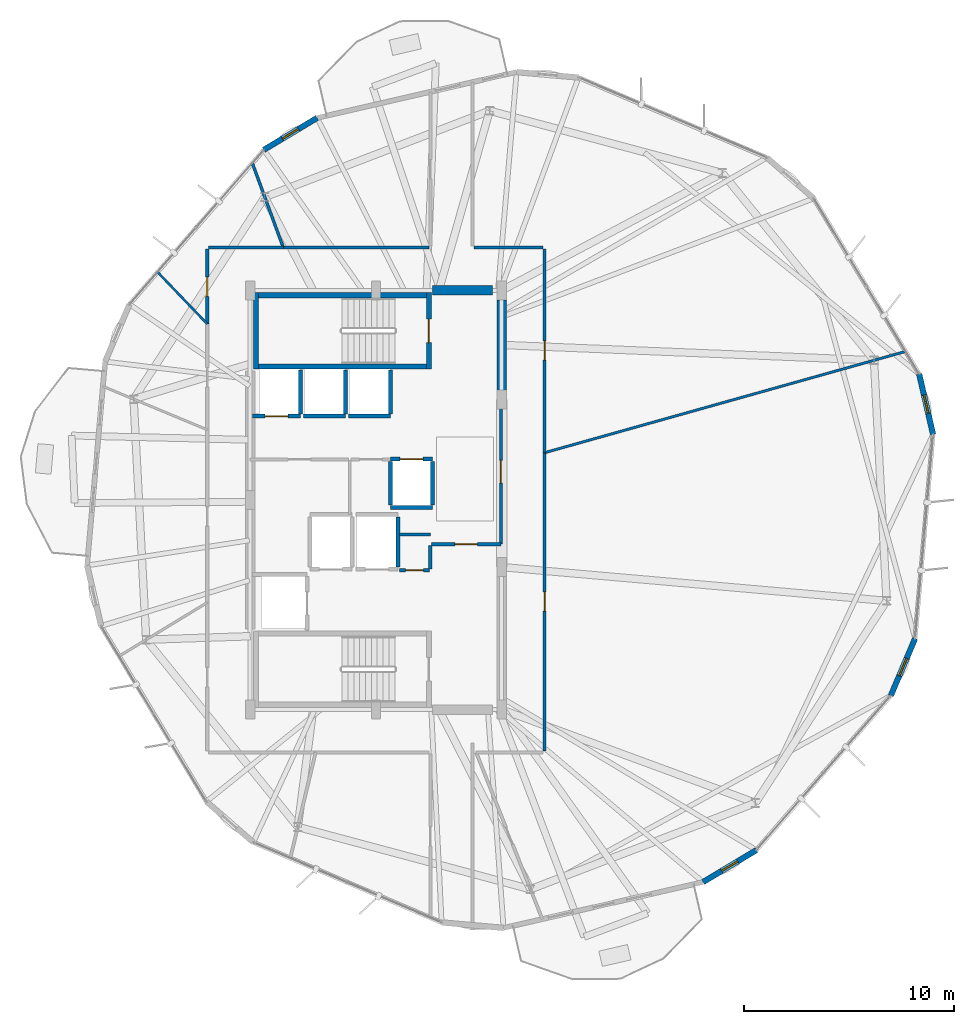
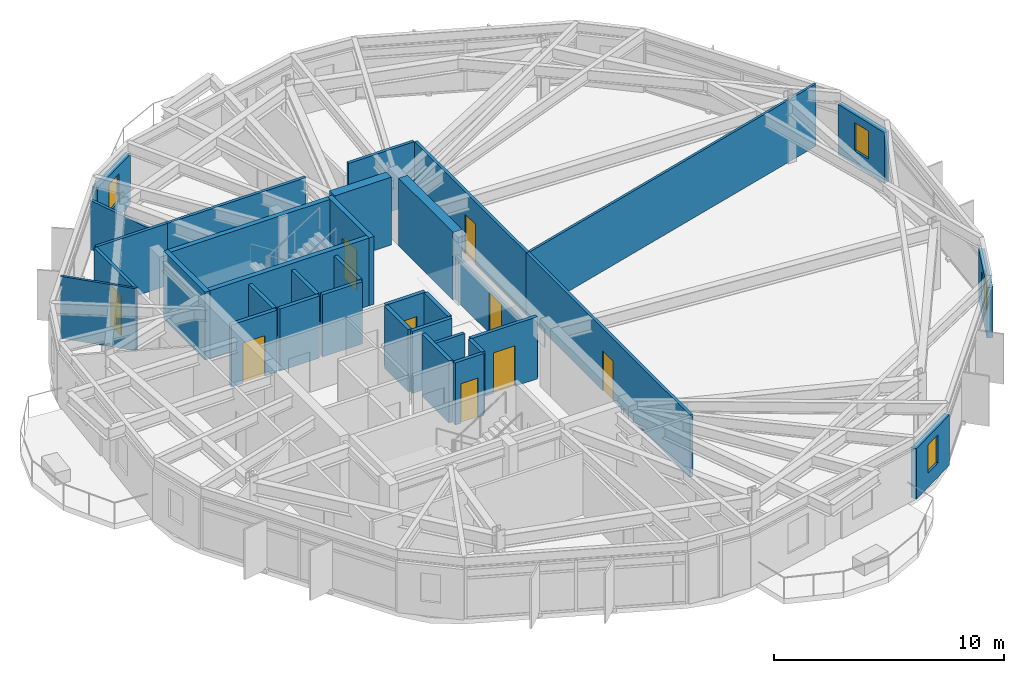
# One storey, part 23 of 27: 35 walls, 9 doors, 4 windows, 13 openings.
"""IFC4 building model written with IfcOpenShell, lengths in metres."""

from ifc_helpers import new_model, si_unit, direction, frame, frame_2d, origin, place, context, subcontext, project, spatial, rectangle, extrude, material, layer, layer_set, type_object, element, fill, save


model = new_model("IFC4")

# Units and contexts
model_context = context("Model", 3, precision=1e-05, world=origin(), true_north=direction((0.0, 1.0)))
body_context = subcontext(model_context, "Body", "Model", "MODEL_VIEW")
ifc_project = project(units=[si_unit("LENGTHUNIT", "METRE"), si_unit("AREAUNIT", "SQUARE_METRE"), si_unit("VOLUMEUNIT", "CUBIC_METRE"), si_unit("PLANEANGLEUNIT", "RADIAN"), si_unit("MASSUNIT", "GRAM", prefix="KILO")], contexts=[model_context])

# Site, building, storey
site_placement = place(None, origin())
site = spatial("IfcSite", under=ifc_project, at=site_placement, CompositionType="ELEMENT")
building_placement = place(site_placement, origin())
building = spatial("IfcBuilding", under=site, at=building_placement, Name="Soratama Intermodal Tower", CompositionType="ELEMENT")
storey_placement = place(building_placement, frame((0.0, 0.0, 212.199951171875)))
storey = spatial("IfcBuildingStorey", under=building, at=storey_placement, Name="L53", CompositionType="ELEMENT", Elevation=212.199951171875)

# Wall, opening, window
ifc_material_1 = material(Name="Concrete f'c 42 MPa", Category="concrete")
ifc_layer_1 = layer(ifc_material_1, 0.27001953125)
ifc_layer_set_1 = layer_set([ifc_layer_1], Name="Concrete f'c 42 MPa")
wall_type_1 = type_object("IfcWallType", Name="EW-CRN-270", PredefinedType="SOLIDWALL", material=ifc_layer_set_1)
wall_1_placement = place(storey_placement, frame((35.7919921875, 43.232177734375, 0.0), z_axis=(0.0, 0.0, 1.0), x_axis=(-0.857507449303, -0.51447154867, 0.0)))
wall_1 = element("IfcWall", 1, at=wall_1_placement, inside=storey, type_object=wall_type_1, Name="L53 Corner Closure Wall 02", PredefinedType="SOLIDWALL", context=body_context, shape_type="SweptSolid", body=[
    extrude(rectangle(XDim=2.96630859375, YDim=0.27001953125, at=frame_2d((1.483154296875, 0.0))), origin(), (0.0, 0.0, 1.0), 2.678955078125),
])
opening_1_placement = place(wall_1_placement, frame((1.033203125, 0.0, 0.75)))
opening_1 = element("IfcOpeningElement", 2, at=opening_1_placement, cuts=wall_1, Name="Opening WN-6", PredefinedType="OPENING", context=body_context, shape_type="SweptSolid", body=[
    extrude(rectangle(XDim=0.89990234375, YDim=1.5, at=frame_2d((0.449951171875, 0.75))), frame((0.0, 0.14501953125, 0.0), z_axis=(0.0, -1.0, 0.0), x_axis=(1.0, 0.0, 0.0)), (0.0, 0.0, 1.0), 0.2900390625),
])
ifc_material_2 = material(Name="Double-glazed aluminium window", Category="aluminium")
window_type = type_object("IfcWindowType", Name="WN-FAC-900", PartitioningType="SINGLE_PANEL", PredefinedType="WINDOW", material=ifc_material_2)
window_1_placement = place(opening_1_placement, origin())
window_1 = element("IfcWindow", 3, at=window_1_placement, inside=storey, type_object=window_type, Name="L53 Corner Window 02", OverallHeight=1.5, OverallWidth=0.89990234375, PartitioningType="SINGLE_PANEL", PredefinedType="WINDOW", context=body_context, shape_type="SweptSolid", body=[
    extrude(rectangle(XDim=0.89990234375, YDim=1.5, at=frame_2d((0.449951171875, 0.75))), frame((0.0, 0.030029296875, 0.0), z_axis=(0.0, -1.0, 0.0), x_axis=(1.0, 0.0, 0.0)), (0.0, 0.0, 1.0), 0.06005859375),
])
fill(opening_1, window_1)

wall_2_placement = place(storey_placement, frame((54.2080078125, 6.767822265625, 0.0), z_axis=(0.0, 0.0, 1.0), x_axis=(0.857507449303, 0.51447154867, 0.0)))
wall_2 = element("IfcWall", 4, at=wall_2_placement, inside=storey, type_object=wall_type_1, Name="L53 Corner Closure Wall 07", PredefinedType="SOLIDWALL", context=body_context, shape_type="SweptSolid", body=[
    extrude(rectangle(XDim=2.96630859375, YDim=0.27001953125, at=frame_2d((1.483154296875, 0.0))), origin(), (0.0, 0.0, 1.0), 2.678955078125),
])
opening_2_placement = place(wall_2_placement, frame((1.033203125, 0.0, 0.75)))
opening_2 = element("IfcOpeningElement", 5, at=opening_2_placement, cuts=wall_2, Name="Opening WN-6", PredefinedType="OPENING", context=body_context, shape_type="SweptSolid", body=[
    extrude(rectangle(XDim=0.89990234375, YDim=1.5, at=frame_2d((0.449951171875, 0.75))), frame((0.0, 0.14501953125, 0.0), z_axis=(0.0, -1.0, 0.0), x_axis=(1.0, 0.0, 0.0)), (0.0, 0.0, 1.0), 0.2900390625),
])
window_2_placement = place(opening_2_placement, origin())
window_2 = element("IfcWindow", 6, at=window_2_placement, inside=storey, type_object=window_type, Name="L53 Corner Window 07", OverallHeight=1.5, OverallWidth=0.89990234375, PartitioningType="SINGLE_PANEL", PredefinedType="WINDOW", context=body_context, shape_type="SweptSolid", body=[
    extrude(rectangle(XDim=0.89990234375, YDim=1.5, at=frame_2d((0.449951171875, 0.75))), frame((0.0, 0.030029296875, 0.0), z_axis=(0.0, -1.0, 0.0), x_axis=(1.0, 0.0, 0.0)), (0.0, 0.0, 1.0), 0.06005859375),
])
fill(opening_2, window_2)

wall_3_placement = place(storey_placement, frame((63.166015625, 15.662109375, 0.0), z_axis=(0.0, 0.0, 1.0), x_axis=(0.391325355633, 0.920252392574, 0.0)))
wall_3 = element("IfcWall", 7, at=wall_3_placement, inside=storey, type_object=wall_type_1, Name="L53 Corner Closure Wall 08", PredefinedType="SOLIDWALL", context=body_context, shape_type="SweptSolid", body=[
    extrude(rectangle(XDim=2.966552734375, YDim=0.27001953125, at=frame_2d((1.4833984375, 0.0))), origin(), (0.0, 0.0, 1.0), 2.678955078125),
])
opening_3_placement = place(wall_3_placement, frame((1.033203125, 0.0, 0.75)))
opening_3 = element("IfcOpeningElement", 8, at=opening_3_placement, cuts=wall_3, Name="Opening WN-6", PredefinedType="OPENING", context=body_context, shape_type="SweptSolid", body=[
    extrude(rectangle(XDim=0.89990234375, YDim=1.5, at=frame_2d((0.449951171875, 0.75))), frame((0.0, 0.14501953125, 0.0), z_axis=(0.0, -1.0, 0.0), x_axis=(1.0, 0.0, 0.0)), (0.0, 0.0, 1.0), 0.2900390625),
])
window_3_placement = place(opening_3_placement, origin())
window_3 = element("IfcWindow", 9, at=window_3_placement, inside=storey, type_object=window_type, Name="L53 Corner Window 08", OverallHeight=1.5, OverallWidth=0.89990234375, PartitioningType="SINGLE_PANEL", PredefinedType="WINDOW", context=body_context, shape_type="SweptSolid", body=[
    extrude(rectangle(XDim=0.89990234375, YDim=1.5, at=frame_2d((0.449951171875, 0.75))), frame((0.0, 0.030029296875, 0.0), z_axis=(0.0, -1.0, 0.0), x_axis=(1.0, 0.0, 0.0)), (0.0, 0.0, 1.0), 0.06005859375),
])
fill(opening_3, window_3)

wall_4_placement = place(storey_placement, frame((65.185302734375, 28.123291015625, 0.0), z_axis=(0.0, 0.0, 1.0), x_axis=(-0.224270411894, 0.974526953116, 0.0)))
wall_4 = element("IfcWall", 10, at=wall_4_placement, inside=storey, type_object=wall_type_1, Name="L53 Corner Closure Wall 09", PredefinedType="SOLIDWALL", context=body_context, shape_type="SweptSolid", body=[
    extrude(rectangle(XDim=2.966552734375, YDim=0.27001953125, at=frame_2d((1.4833984375, 0.0))), origin(), (0.0, 0.0, 1.0), 2.678955078125),
])
opening_4_placement = place(wall_4_placement, frame((1.033203125, 0.0, 0.75)))
opening_4 = element("IfcOpeningElement", 11, at=opening_4_placement, cuts=wall_4, Name="Opening WN-6", PredefinedType="OPENING", context=body_context, shape_type="SweptSolid", body=[
    extrude(rectangle(XDim=0.89990234375, YDim=1.5, at=frame_2d((0.449951171875, 0.75))), frame((0.0, 0.14501953125, 0.0), z_axis=(0.0, -1.0, 0.0), x_axis=(1.0, 0.0, 0.0)), (0.0, 0.0, 1.0), 0.2900390625),
])
window_4_placement = place(opening_4_placement, origin())
window_4 = element("IfcWindow", 12, at=window_4_placement, inside=storey, type_object=window_type, Name="L53 Corner Window 09", OverallHeight=1.5, OverallWidth=0.89990234375, PartitioningType="SINGLE_PANEL", PredefinedType="WINDOW", context=body_context, shape_type="SweptSolid", body=[
    extrude(rectangle(XDim=0.89990234375, YDim=1.5, at=frame_2d((0.449951171875, 0.75))), frame((0.0, 0.030029296875, 0.0), z_axis=(0.0, -1.0, 0.0), x_axis=(1.0, 0.0, 0.0)), (0.0, 0.0, 1.0), 0.06005859375),
])
fill(opening_4, window_4)

# Wall, opening, door
ifc_material_3 = material(Name="Fire-rated gypsum stud partition", Category="concrete")
ifc_layer_2 = layer(ifc_material_3, 0.14990234375)
ifc_layer_set_2 = layer_set([ifc_layer_2], Name="Fire-rated gypsum stud partition")
wall_type_2 = type_object("IfcWallType", Name="IW-PART-R150", PredefinedType="PARTITIONING", material=ifc_layer_set_2)
wall_5_placement = place(storey_placement, frame((46.64990234375, 27.258056640625, 0.0), z_axis=(0.0, 0.0, 1.0), x_axis=(0.0, -1.0, 0.0)))
wall_5 = element("IfcWall", 13, at=wall_5_placement, inside=storey, type_object=wall_type_2, Name="L53 Partition W-L53-TP002", PredefinedType="PARTITIONING", context=body_context, shape_type="SweptSolid", body=[
    extrude(rectangle(XDim=14.238037109375, YDim=0.14990234375, at=frame_2d((7.119140625, 0.0))), origin(), (0.0, 0.0, 1.0), 3.300048828125),
])
opening_5_placement = place(wall_5_placement, frame((6.64404296875, 0.0, 0.0)))
opening_5 = element("IfcOpeningElement", 14, at=opening_5_placement, cuts=wall_5, Name="Opening ID-6", PredefinedType="OPENING", context=body_context, shape_type="SweptSolid", body=[
    extrude(rectangle(XDim=0.919921875, YDim=2.1201171875, at=frame_2d((0.4599609375, 1.06005859375))), frame((0.0, 0.0849609375, 0.0), z_axis=(0.0, -1.0, 0.0), x_axis=(1.0, 0.0, 0.0)), (0.0, 0.0, 1.0), 0.169921875),
])
ifc_material_4 = material(Name="Solid hardwood acoustic door", Category="wood")
door_type_1 = type_object("IfcDoorType", Name="DR-ROOM-920", OperationType="NOTDEFINED", PredefinedType="DOOR", material=ifc_material_4)
door_1_placement = place(opening_5_placement, origin())
door_1 = element("IfcDoor", 15, at=door_1_placement, inside=storey, type_object=door_type_1, Name="L53 Door D-L53-TP001", OperationType="SINGLE_SWING_RIGHT", OverallHeight=2.1201171875, OverallWidth=0.919921875, PredefinedType="DOOR", context=body_context, shape_type="SweptSolid", body=[
    extrude(rectangle(XDim=0.919921875, YDim=2.1201171875, at=frame_2d((0.4599609375, 1.06005859375))), frame((0.0, 0.02490234375, 0.0), z_axis=(0.0, -1.0, 0.0), x_axis=(1.0, 0.0, 0.0)), (0.0, 0.0, 1.0), 0.050048828125),
])
fill(opening_5, door_1)

wall_6_placement = place(storey_placement, frame((46.64990234375, 36.97998046875, 0.0), z_axis=(0.0, 0.0, 1.0), x_axis=(0.0, -1.0, 0.0)))
wall_6 = element("IfcWall", 16, at=wall_6_placement, inside=storey, type_object=wall_type_2, Name="L53 Partition W-L53-TP003", PredefinedType="PARTITIONING", context=body_context, shape_type="SweptSolid", body=[
    extrude(rectangle(XDim=9.721923828125, YDim=0.14990234375, at=frame_2d((4.86083984375, 0.0))), origin(), (0.0, 0.0, 1.0), 3.300048828125),
])
opening_6_placement = place(wall_6_placement, frame((4.385986328125, 0.0, 0.0)))
opening_6 = element("IfcOpeningElement", 17, at=opening_6_placement, cuts=wall_6, Name="Opening ID-6", PredefinedType="OPENING", context=body_context, shape_type="SweptSolid", body=[
    extrude(rectangle(XDim=0.919921875, YDim=2.1201171875, at=frame_2d((0.4599609375, 1.06005859375))), frame((0.0, 0.0849609375, 0.0), z_axis=(0.0, -1.0, 0.0), x_axis=(1.0, 0.0, 0.0)), (0.0, 0.0, 1.0), 0.169921875),
])
door_2_placement = place(opening_6_placement, origin())
door_2 = element("IfcDoor", 18, at=door_2_placement, inside=storey, type_object=door_type_1, Name="L53 Door D-L53-TP002", OperationType="SINGLE_SWING_LEFT", OverallHeight=2.1201171875, OverallWidth=0.919921875, PredefinedType="DOOR", context=body_context, shape_type="SweptSolid", body=[
    extrude(rectangle(XDim=0.919921875, YDim=2.1201171875, at=frame_2d((0.4599609375, 1.06005859375))), frame((0.0, 0.02490234375, 0.0), z_axis=(0.0, -1.0, 0.0), x_axis=(1.0, 0.0, 0.0)), (0.0, 0.0, 1.0), 0.050048828125),
])
fill(opening_6, door_2)

# Wall
wall_7_placement = place(storey_placement, frame((34.177001953125, 37.050048828125, 0.0), z_axis=(0.0, 0.0, 1.0), x_axis=(1.0, 0.0, 0.0)))
element("IfcWall", 19, at=wall_7_placement, inside=storey, type_object=wall_type_2, Name="L53 Partition W-L53-TP010", PredefinedType="PARTITIONING", context=body_context, shape_type="SweptSolid", body=[
    extrude(rectangle(XDim=6.952880859375, YDim=0.14990234375, at=frame_2d((3.4765625, 0.0))), origin(), (0.0, 0.0, 1.0), 3.300048828125),
])

# Wall, opening, door
wall_8_placement = place(storey_placement, frame((44.56005859375, 29.800048828125, 0.0), z_axis=(0.0, 0.0, 1.0), x_axis=(0.0, -1.0, 0.0)))
wall_8 = element("IfcWall", 20, at=wall_8_placement, inside=storey, type_object=wall_type_2, Name="L53 Partition W-L53-TP011", PredefinedType="PARTITIONING", context=body_context, shape_type="SweptSolid", body=[
    extrude(rectangle(XDim=6.91015625, YDim=0.14990234375, at=frame_2d((3.455078125, 0.0))), origin(), (0.0, 0.0, 1.0), 2.340087890625),
])
opening_7_placement = place(wall_8_placement, frame((2.9150390625, 0.0, 0.0)))
opening_7 = element("IfcOpeningElement", 21, at=opening_7_placement, cuts=wall_8, Name="Opening ID-1", PredefinedType="OPENING", context=body_context, shape_type="SweptSolid", body=[
    extrude(rectangle(XDim=1.080078125, YDim=2.14990234375, at=frame_2d((0.5400390625, 1.074951171875))), frame((0.0, 0.0849609375, 0.0), z_axis=(0.0, -1.0, 0.0), x_axis=(1.0, 0.0, 0.0)), (0.0, 0.0, 1.0), 0.169921875),
])
ifc_material_5 = material(Name="Solid hardwood acoustic door", Category="wood")
door_type_2 = type_object("IfcDoorType", Name="DR-LOB-FD60", OperationType="NOTDEFINED", PredefinedType="DOOR", material=ifc_material_5)
door_3_placement = place(opening_7_placement, origin())
door_3 = element("IfcDoor", 22, at=door_3_placement, inside=storey, type_object=door_type_2, Name="L53 Door D-L53-TP007", OperationType="SINGLE_SWING_RIGHT", OverallHeight=2.14990234375, OverallWidth=1.080078125, PredefinedType="DOOR", context=body_context, shape_type="SweptSolid", body=[
    extrude(rectangle(XDim=1.080078125, YDim=2.14990234375, at=frame_2d((0.5400390625, 1.074951171875))), frame((0.0, 0.02490234375, 0.0), z_axis=(0.0, -1.0, 0.0), x_axis=(1.0, 0.0, 0.0)), (0.0, 0.0, 1.0), 0.050048828125),
])
fill(opening_7, door_3)

wall_9_placement = place(storey_placement, frame((30.550048828125, 33.40087890625, 0.0), z_axis=(0.0, 0.0, 1.0), x_axis=(0.0, 1.0, 0.0)))
wall_9 = element("IfcWall", 23, at=wall_9_placement, inside=storey, type_object=wall_type_2, Name="L53 Partition W-L53-TP020", PredefinedType="PARTITIONING", context=body_context, shape_type="SweptSolid", body=[
    extrude(rectangle(XDim=3.5791015625, YDim=0.14990234375, at=frame_2d((1.78955078125, 0.0))), origin(), (0.0, 0.0, 1.0), 3.300048828125),
])
opening_8_placement = place(wall_9_placement, frame((1.31396484375, 0.0, 0.0)))
opening_8 = element("IfcOpeningElement", 24, at=opening_8_placement, cuts=wall_9, Name="Opening ID-6", PredefinedType="OPENING", context=body_context, shape_type="SweptSolid", body=[
    extrude(rectangle(XDim=0.919921875, YDim=2.1201171875, at=frame_2d((0.4599609375, 1.06005859375))), frame((0.0, 0.0849609375, 0.0), z_axis=(0.0, -1.0, 0.0), x_axis=(1.0, 0.0, 0.0)), (0.0, 0.0, 1.0), 0.169921875),
])
door_4_placement = place(opening_8_placement, origin())
door_4 = element("IfcDoor", 25, at=door_4_placement, inside=storey, type_object=door_type_1, Name="L53 Door D-L53-TP010", OperationType="SINGLE_SWING_LEFT", OverallHeight=2.1201171875, OverallWidth=0.919921875, PredefinedType="DOOR", context=body_context, shape_type="SweptSolid", body=[
    extrude(rectangle(XDim=0.919921875, YDim=2.1201171875, at=frame_2d((0.4599609375, 1.06005859375))), frame((0.0, 0.02490234375, 0.0), z_axis=(0.0, -1.0, 0.0), x_axis=(1.0, 0.0, 0.0)), (0.0, 0.0, 1.0), 0.050048828125),
])
fill(opening_8, door_4)

# Walls
wall_10_placement = place(storey_placement, frame((30.6201171875, 37.050048828125, 0.0), z_axis=(0.0, 0.0, 1.0), x_axis=(1.0, 0.0, 0.0)))
element("IfcWall", 26, at=wall_10_placement, inside=storey, type_object=wall_type_2, Name="L53 Partition W-L53-TP021", PredefinedType="PARTITIONING", context=body_context, shape_type="SweptSolid", body=[
    extrude(rectangle(XDim=3.556884765625, YDim=0.14990234375, at=frame_2d((1.7783203125, 0.0))), origin(), (0.0, 0.0, 1.0), 3.300048828125),
])
wall_11_placement = place(storey_placement, frame((43.27001953125, 37.050048828125, 0.0), z_axis=(0.0, 0.0, 1.0), x_axis=(1.0, 0.0, 0.0)))
element("IfcWall", 27, at=wall_11_placement, inside=storey, type_object=wall_type_2, Name="L53 Partition W-L53-TP024", PredefinedType="PARTITIONING", context=body_context, shape_type="SweptSolid", body=[
    extrude(rectangle(XDim=3.31005859375, YDim=0.14990234375, at=frame_2d((1.655029296875, 0.0))), origin(), (0.0, 0.0, 1.0), 3.300048828125),
])
wall_12_placement = place(storey_placement, frame((41.199951171875, 23.360107421875, 0.0), z_axis=(0.0, 0.0, 1.0), x_axis=(-1.0, 0.0, 0.0)))
element("IfcWall", 28, at=wall_12_placement, inside=storey, type_object=wall_type_2, Name="L53 Partition W-L53-TP031", PredefinedType="PARTITIONING", context=body_context, shape_type="SweptSolid", body=[
    extrude(rectangle(XDim=1.47998046875, YDim=0.14990234375, at=frame_2d((0.739990234375, 0.0))), origin(), (0.0, 0.0, 1.0), 3.300048828125),
])

# Wall, opening, door
ifc_material_6 = material(Name="Fire-rated gypsum stud partition", Category="concrete")
ifc_layer_3 = layer(ifc_material_6, 0.169921875)
ifc_layer_set_3 = layer_set([ifc_layer_3], Name="Fire-rated gypsum stud partition")
wall_type_3 = type_object("IfcWallType", Name="IW-PART-R170", PredefinedType="PARTITIONING", material=ifc_layer_set_3)
wall_13_placement = place(storey_placement, frame((41.239990234375, 22.889892578125, 0.0), z_axis=(0.0, 0.0, 1.0), x_axis=(1.0, 0.0, 0.0)))
wall_13 = element("IfcWall", 29, at=wall_13_placement, inside=storey, type_object=wall_type_3, Name="L53 Partition W-L53-TP023", PredefinedType="PARTITIONING", context=body_context, shape_type="SweptSolid", body=[
    extrude(rectangle(XDim=3.320068359375, YDim=0.169921875, at=frame_2d((1.66015625, 0.0))), origin(), (0.0, 0.0, 1.0), 3.300048828125),
])
opening_9_placement = place(wall_13_placement, frame((1.1201171875, 0.0, 0.0)))
opening_9 = element("IfcOpeningElement", 30, at=opening_9_placement, cuts=wall_13, Name="Opening ID-0", PredefinedType="OPENING", context=body_context, shape_type="SweptSolid", body=[
    extrude(rectangle(XDim=1.080078125, YDim=2.14990234375, at=frame_2d((0.5400390625, 1.074951171875))), frame((0.0, 0.094970703125, 0.0), z_axis=(0.0, -1.0, 0.0), x_axis=(1.0, 0.0, 0.0)), (0.0, 0.0, 1.0), 0.18994140625),
])
ifc_material_7 = material(Name="Solid hardwood acoustic door", Category="wood")
door_type_3 = type_object("IfcDoorType", Name="DR-LOB-FD90", OperationType="NOTDEFINED", PredefinedType="DOOR", material=ifc_material_7)
door_5_placement = place(opening_9_placement, origin())
door_5 = element("IfcDoor", 31, at=door_5_placement, inside=storey, type_object=door_type_3, Name="L53 Door D-L53-TP011", OperationType="SINGLE_SWING_RIGHT", OverallHeight=2.14990234375, OverallWidth=1.080078125, PredefinedType="DOOR", context=body_context, shape_type="SweptSolid", body=[
    extrude(rectangle(XDim=1.080078125, YDim=2.14990234375, at=frame_2d((0.5400390625, 1.074951171875))), frame((0.0, 0.02490234375, 0.0), z_axis=(0.0, -1.0, 0.0), x_axis=(1.0, 0.0, 0.0)), (0.0, 0.0, 1.0), 0.050048828125),
])
fill(opening_9, door_5)

wall_14_placement = place(storey_placement, frame((39.719970703125, 21.639892578125, 0.0), z_axis=(0.0, 0.0, 1.0), x_axis=(1.0, 0.0, 0.0)))
wall_14 = element("IfcWall", 32, at=wall_14_placement, inside=storey, type_object=wall_type_3, Name="L53 Partition W-L53-TP028", PredefinedType="PARTITIONING", context=body_context, shape_type="SweptSolid", body=[
    extrude(rectangle(XDim=1.43994140625, YDim=0.169921875, at=frame_2d((0.719970703125, 0.0))), origin(), (0.0, 0.0, 1.0), 3.300048828125),
])
opening_10_placement = place(wall_14_placement, frame((0.294921875, 0.0, 0.0)))
opening_10 = element("IfcOpeningElement", 33, at=opening_10_placement, cuts=wall_14, Name="Opening ID-4", PredefinedType="OPENING", context=body_context, shape_type="SweptSolid", body=[
    extrude(rectangle(XDim=0.85009765625, YDim=2.10009765625, at=frame_2d((0.425048828125, 1.050048828125))), frame((0.0, 0.094970703125, 0.0), z_axis=(0.0, -1.0, 0.0), x_axis=(1.0, 0.0, 0.0)), (0.0, 0.0, 1.0), 0.18994140625),
])
ifc_material_8 = material(Name="Solid hardwood acoustic door", Category="wood")
door_type_4 = type_object("IfcDoorType", Name="DR-BATH-850", OperationType="NOTDEFINED", PredefinedType="DOOR", material=ifc_material_8)
door_6_placement = place(opening_10_placement, origin())
door_6 = element("IfcDoor", 34, at=door_6_placement, inside=storey, type_object=door_type_4, Name="L53 Door D-L53-TP013", OperationType="SINGLE_SWING_RIGHT", OverallHeight=2.10009765625, OverallWidth=0.85009765625, PredefinedType="DOOR", context=body_context, shape_type="SweptSolid", body=[
    extrude(rectangle(XDim=0.85009765625, YDim=2.10009765625, at=frame_2d((0.425048828125, 1.050048828125))), frame((0.0, 0.02490234375, 0.0), z_axis=(0.0, -1.0, 0.0), x_axis=(1.0, 0.0, 0.0)), (0.0, 0.0, 1.0), 0.050048828125),
])
fill(opening_10, door_6)

# Walls
wall_15_placement = place(storey_placement, frame((41.199951171875, 21.699951171875, 0.0), z_axis=(0.0, 0.0, 1.0), x_axis=(0.0, 1.0, 0.0)))
element("IfcWall", 35, at=wall_15_placement, inside=storey, type_object=wall_type_3, Name="L53 Partition W-L53-TP029", PredefinedType="PARTITIONING", context=body_context, shape_type="SweptSolid", body=[
    extrude(rectangle(XDim=1.1201171875, YDim=0.169921875, at=frame_2d((0.56005859375, 0.0))), origin(), (0.0, 0.0, 1.0), 3.300048828125),
])
ifc_material_9 = material(Name="Fire-rated gypsum stud partition", Category="concrete")
ifc_layer_4 = layer(ifc_material_9, 0.110107421875)
ifc_layer_set_4 = layer_set([ifc_layer_4], Name="Fire-rated gypsum stud partition")
wall_type_4 = type_object("IfcWallType", Name="IW-PART-S110", PredefinedType="PARTITIONING", material=ifc_layer_set_4)
wall_16_placement = place(storey_placement, frame((30.550048828125, 33.40087890625, 0.0), z_axis=(0.0, 0.0, 1.0), x_axis=(-0.691939349726, 0.721955633194, 0.0)))
element("IfcWall", 36, at=wall_16_placement, inside=storey, type_object=wall_type_4, Name="L53 Partition W-L53-TP022", PredefinedType="PARTITIONING", context=body_context, shape_type="SweptSolid", body=[
    extrude(rectangle(XDim=3.432373046875, YDim=0.110107421875, at=frame_2d((1.71630859375, 0.0))), origin(), (0.0, 0.0, 1.0), 3.300048828125),
])
ifc_material_10 = material(Name="Fire-rated gypsum stud partition", Category="concrete")
ifc_layer_5 = layer(ifc_material_10, 0.1201171875)
ifc_layer_set_5 = layer_set([ifc_layer_5], Name="Fire-rated gypsum stud partition")
wall_type_5 = type_object("IfcWallType", Name="IW-PART-S120", PredefinedType="PARTITIONING", material=ifc_layer_set_5)
wall_17_placement = place(storey_placement, frame((63.875, 32.089111328125, 0.0), z_axis=(0.0, 0.0, 1.0), x_axis=(-0.962847424489, -0.270045990813, 0.0)))
element("IfcWall", 37, at=wall_17_placement, inside=storey, type_object=wall_type_5, Name="L53 Partition W-L53-TP001", PredefinedType="PARTITIONING", context=body_context, shape_type="SweptSolid", body=[
    extrude(rectangle(XDim=17.8896484375, YDim=0.1201171875, at=frame_2d((8.94482421875, 0.0))), origin(), (0.0, 0.0, 1.0), 3.300048828125),
])
ifc_material_11 = material(Name="Fire-rated gypsum stud partition", Category="concrete")
ifc_layer_6 = layer(ifc_material_11, 0.139892578125)
ifc_layer_set_6 = layer_set([ifc_layer_6], Name="Fire-rated gypsum stud partition")
wall_type_6 = type_object("IfcWallType", Name="IW-PART-S140", PredefinedType="PARTITIONING", material=ifc_layer_set_6)
wall_18_placement = place(storey_placement, frame((34.177001953125, 37.050048828125, 0.0), z_axis=(0.0, 0.0, 1.0), x_axis=(-0.344438653937, 0.938808827011, 0.0)))
element("IfcWall", 38, at=wall_18_placement, inside=storey, type_object=wall_type_6, Name="L53 Partition W-L53-TP019", PredefinedType="PARTITIONING", context=body_context, shape_type="SweptSolid", body=[
    extrude(rectangle(XDim=4.288330078125, YDim=0.139892578125, at=frame_2d((2.14404296875, 0.0))), origin(), (0.0, 0.0, 1.0), 2.594970703125),
])
ifc_material_12 = material(Name="Concrete f'c 42 MPa", Category="concrete")
ifc_layer_7 = layer(ifc_material_12, 0.18505859375)
ifc_layer_set_7 = layer_set([ifc_layer_7], Name="Concrete f'c 42 MPa")
wall_type_7 = type_object("IfcWallType", Name="IW-SHAFT-185", PredefinedType="SOLIDWALL", material=ifc_layer_set_7)
wall_19_placement = place(storey_placement, frame((39.64990234375, 21.81005859375, 0.0), z_axis=(0.0, 0.0, 1.0), x_axis=(0.0, 1.0, 0.0)))
element("IfcWall", 39, at=wall_19_placement, inside=storey, type_object=wall_type_7, Name="L53 FFL-2 Hoistway Wall E", PredefinedType="SOLIDWALL", context=body_context, shape_type="SweptSolid", body=[
    extrude(rectangle(XDim=2.3798828125, YDim=0.18505859375, at=frame_2d((1.18994140625, 0.0))), origin(), (0.0, 0.0, 1.0), 3.300048828125),
])
wall_20_placement = place(storey_placement, frame((39.300048828125, 24.64990234375, 0.0), z_axis=(0.0, 0.0, 1.0), x_axis=(1.0, 0.0, 0.0)))
element("IfcWall", 40, at=wall_20_placement, inside=storey, type_object=wall_type_7, Name="L53 PL-M1 Hoistway Wall S", PredefinedType="SOLIDWALL", context=body_context, shape_type="SweptSolid", body=[
    extrude(rectangle(XDim=2.0, YDim=0.18505859375, at=frame_2d((1.0, 0.0))), origin(), (0.0, 0.0, 1.0), 3.300048828125),
])

# Wall, opening, door
wall_21_placement = place(storey_placement, frame((39.300048828125, 26.949951171875, 0.0), z_axis=(0.0, 0.0, 1.0), x_axis=(1.0, 0.0, 0.0)))
wall_21 = element("IfcWall", 41, at=wall_21_placement, inside=storey, type_object=wall_type_7, Name="L53 PL-M1 Hoistway Wall N", PredefinedType="SOLIDWALL", context=body_context, shape_type="SweptSolid", body=[
    extrude(rectangle(XDim=2.0, YDim=0.18505859375, at=frame_2d((1.0, 0.0))), origin(), (0.0, 0.0, 1.0), 3.300048828125),
])
opening_11_placement = place(wall_21_placement, frame((0.449951171875, 0.0, 0.0)))
opening_11 = element("IfcOpeningElement", 42, at=opening_11_placement, cuts=wall_21, Name="Opening LD-1", PredefinedType="OPENING", context=body_context, shape_type="SweptSolid", body=[
    extrude(rectangle(XDim=1.10009765625, YDim=2.14990234375, at=frame_2d((0.550048828125, 1.074951171875))), frame((0.0, 0.1025390625, 0.0), z_axis=(0.0, -1.0, 0.0), x_axis=(1.0, 0.0, 0.0)), (0.0, 0.0, 1.0), 0.205078125),
])
ifc_material_13 = material(Name="Steel fire door", Category="steel")
door_type_5 = type_object("IfcDoorType", Name="DR-LIFT-SLIDE", OperationType="NOTDEFINED", PredefinedType="DOOR", material=ifc_material_13)
door_7_placement = place(opening_11_placement, origin())
door_7 = element("IfcDoor", 43, at=door_7_placement, inside=storey, type_object=door_type_5, Name="L53 PL-M1 Sliding Landing Door", OperationType="SLIDING_TO_LEFT", OverallHeight=2.14990234375, OverallWidth=1.10009765625, PredefinedType="DOOR", context=body_context, shape_type="SweptSolid", body=[
    extrude(rectangle(XDim=1.10009765625, YDim=2.14990234375, at=frame_2d((0.550048828125, 1.074951171875))), frame((0.0, 0.02490234375, 0.0), z_axis=(0.0, -1.0, 0.0), x_axis=(1.0, 0.0, 0.0)), (0.0, 0.0, 1.0), 0.050048828125),
])
fill(opening_11, door_7)

# Walls
for number, where, z_axis, x_axis, name in (
    (44, (39.300048828125, 24.760009765625, 0.0), (0.0, 0.0, 1.0), (0.0, 1.0, 0.0), "L53 PL-M1 Hoistway Wall W"),
    (45, (41.300048828125, 24.760009765625, 0.0), (0.0, 0.0, 1.0), (0.0, 1.0, 0.0), "L53 PL-M1 Hoistway Wall E"),
):
    element("IfcWall", number, at=place(storey_placement, frame(where, z_axis=z_axis, x_axis=x_axis)), inside=storey, type_object=wall_type_7, Name=name, PredefinedType="SOLIDWALL", context=body_context, shape_type="SweptSolid", body=[
        extrude(rectangle(XDim=2.080078125, YDim=0.18505859375, at=frame_2d((1.0400390625, 0.0))), origin(), (0.0, 0.0, 1.0), 3.300048828125),
    ])

# Wall, opening, door
wall_22_placement = place(storey_placement, frame((32.719970703125, 29.0, 0.0), z_axis=(0.0, 0.0, 1.0), x_axis=(1.0, 0.0, 0.0)))
wall_22 = element("IfcWall", 46, at=wall_22_placement, inside=storey, type_object=wall_type_7, Name="L53 PL-M2 Hoistway Wall S", PredefinedType="SOLIDWALL", context=body_context, shape_type="SweptSolid", body=[
    extrude(rectangle(XDim=2.280029296875, YDim=0.18505859375, at=frame_2d((1.14013671875, 0.0))), origin(), (0.0, 0.0, 1.0), 3.300048828125),
])
opening_12_placement = place(wall_22_placement, frame((0.590087890625, 0.0, 0.0)))
opening_12 = element("IfcOpeningElement", 47, at=opening_12_placement, cuts=wall_22, Name="Opening LD-1", PredefinedType="OPENING", context=body_context, shape_type="SweptSolid", body=[
    extrude(rectangle(XDim=1.10009765625, YDim=2.14990234375, at=frame_2d((0.550048828125, 1.074951171875))), frame((0.0, 0.1025390625, 0.0), z_axis=(0.0, -1.0, 0.0), x_axis=(1.0, 0.0, 0.0)), (0.0, 0.0, 1.0), 0.205078125),
])
door_8_placement = place(opening_12_placement, origin())
door_8 = element("IfcDoor", 48, at=door_8_placement, inside=storey, type_object=door_type_5, Name="L53 PL-M2 Sliding Landing Door", OperationType="SLIDING_TO_LEFT", OverallHeight=2.14990234375, OverallWidth=1.10009765625, PredefinedType="DOOR", context=body_context, shape_type="SweptSolid", body=[
    extrude(rectangle(XDim=1.10009765625, YDim=2.14990234375, at=frame_2d((0.550048828125, 1.074951171875))), frame((0.0, 0.02490234375, 0.0), z_axis=(0.0, -1.0, 0.0), x_axis=(1.0, 0.0, 0.0)), (0.0, 0.0, 1.0), 0.050048828125),
])
fill(opening_12, door_8)

# Walls
wall_23_placement = place(storey_placement, frame((35.0, 29.110107421875, 0.0), z_axis=(0.0, 0.0, 1.0), x_axis=(0.0, 1.0, 0.0)))
element("IfcWall", 49, at=wall_23_placement, inside=storey, type_object=wall_type_7, Name="L53 PL-M2 Hoistway Wall E", PredefinedType="SOLIDWALL", context=body_context, shape_type="SweptSolid", body=[
    extrude(rectangle(XDim=2.099853515625, YDim=0.18505859375, at=frame_2d((1.0498046875, 0.0))), origin(), (0.0, 0.0, 1.0), 3.300048828125),
])
wall_24_placement = place(storey_placement, frame((35.14990234375, 29.0, 0.0), z_axis=(0.0, 0.0, 1.0), x_axis=(1.0, 0.0, 0.0)))
element("IfcWall", 50, at=wall_24_placement, inside=storey, type_object=wall_type_7, Name="L53 PL-H1 Hoistway Wall S", PredefinedType="SOLIDWALL", context=body_context, shape_type="SweptSolid", body=[
    extrude(rectangle(XDim=2.0, YDim=0.18505859375, at=frame_2d((1.0, 0.0))), origin(), (0.0, 0.0, 1.0), 3.300048828125),
])
wall_25_placement = place(storey_placement, frame((37.14990234375, 29.110107421875, 0.0), z_axis=(0.0, 0.0, 1.0), x_axis=(0.0, 1.0, 0.0)))
element("IfcWall", 51, at=wall_25_placement, inside=storey, type_object=wall_type_7, Name="L53 PL-H1 Hoistway Wall E", PredefinedType="SOLIDWALL", context=body_context, shape_type="SweptSolid", body=[
    extrude(rectangle(XDim=2.099853515625, YDim=0.18505859375, at=frame_2d((1.0498046875, 0.0))), origin(), (0.0, 0.0, 1.0), 3.300048828125),
])
wall_26_placement = place(storey_placement, frame((37.300048828125, 29.0, 0.0), z_axis=(0.0, 0.0, 1.0), x_axis=(1.0, 0.0, 0.0)))
element("IfcWall", 52, at=wall_26_placement, inside=storey, type_object=wall_type_7, Name="L53 PL-H2 Hoistway Wall S", PredefinedType="SOLIDWALL", context=body_context, shape_type="SweptSolid", body=[
    extrude(rectangle(XDim=2.0, YDim=0.18505859375, at=frame_2d((1.0, 0.0))), origin(), (0.0, 0.0, 1.0), 3.300048828125),
])
wall_27_placement = place(storey_placement, frame((39.300048828125, 29.110107421875, 0.0), z_axis=(0.0, 0.0, 1.0), x_axis=(0.0, 1.0, 0.0)))
element("IfcWall", 53, at=wall_27_placement, inside=storey, type_object=wall_type_7, Name="L53 PL-H2 Hoistway Wall E", PredefinedType="SOLIDWALL", context=body_context, shape_type="SweptSolid", body=[
    extrude(rectangle(XDim=2.099853515625, YDim=0.18505859375, at=frame_2d((1.0498046875, 0.0))), origin(), (0.0, 0.0, 1.0), 3.300048828125),
])
ifc_material_14 = material(Name="Concrete f'c 56 MPa", Category="concrete")
ifc_layer_8 = layer(ifc_material_14, 0.449951171875)
ifc_layer_set_8 = layer_set([ifc_layer_8], Name="Concrete f'c 56 MPa")
wall_type_8 = type_object("IfcWallType", Name="SW-CORE-450", PredefinedType="SHEAR", material=ifc_layer_set_8)
wall_28_placement = place(storey_placement, frame((41.300048828125, 35.0, 0.0), z_axis=(0.0, 0.0, 1.0), x_axis=(1.0, 0.0, 0.0)))
element("IfcWall", 54, at=wall_28_placement, inside=storey, type_object=wall_type_8, Name="L53 Core Shear Wall CW-NE", PredefinedType="SHEAR", context=body_context, shape_type="SweptSolid", body=[
    extrude(rectangle(XDim=2.849853515625, YDim=0.449951171875, at=frame_2d((1.4248046875, 0.0))), origin(), (0.0, 0.0, 1.0), 3.60009765625),
])
wall_29_placement = place(storey_placement, frame((44.60009765625, 29.800048828125, 0.0), z_axis=(0.0, 0.0, 1.0), x_axis=(0.0, 1.0, 0.0)))
element("IfcWall", 55, at=wall_29_placement, inside=storey, type_object=wall_type_8, Name="L53 Core Shear Wall CW-EN", PredefinedType="SHEAR", context=body_context, shape_type="SweptSolid", body=[
    extrude(rectangle(XDim=4.75, YDim=0.449951171875, at=frame_2d((2.375, 0.0))), origin(), (0.0, 0.0, 1.0), 3.60009765625),
])
ifc_material_15 = material(Name="Concrete f'c 56 MPa", Category="concrete")
ifc_layer_9 = layer(ifc_material_15, 0.239990234375)
ifc_layer_set_9 = layer_set([ifc_layer_9], Name="Concrete f'c 56 MPa")
wall_type_9 = type_object("IfcWallType", Name="SW-STAIR-240", PredefinedType="SHEAR", material=ifc_layer_set_9)
wall_30_placement = place(storey_placement, frame((32.8798828125, 31.260009765625, 0.0), z_axis=(0.0, 0.0, 1.0), x_axis=(0.0, 1.0, 0.0)))
element("IfcWall", 56, at=wall_30_placement, inside=storey, type_object=wall_type_9, Name="L53 ST-2 Shaft Shear Wall W", PredefinedType="SHEAR", context=body_context, shape_type="SweptSolid", body=[
    extrude(rectangle(XDim=3.6298828125, YDim=0.239990234375, at=frame_2d((1.81494140625, 0.0))), origin(), (0.0, 0.0, 1.0), 3.60009765625),
])

# Wall, opening, door
wall_31_placement = place(storey_placement, frame((41.1201171875, 31.260009765625, 0.0), z_axis=(0.0, 0.0, 1.0), x_axis=(0.0, 1.0, 0.0)))
wall_31 = element("IfcWall", 57, at=wall_31_placement, inside=storey, type_object=wall_type_9, Name="L53 ST-2 Shaft Shear Wall E", PredefinedType="SHEAR", context=body_context, shape_type="SweptSolid", body=[
    extrude(rectangle(XDim=3.6298828125, YDim=0.239990234375, at=frame_2d((1.81494140625, 0.0))), origin(), (0.0, 0.0, 1.0), 3.60009765625),
])
opening_13_placement = place(wall_31_placement, frame((1.2548828125, 0.0, 0.0)))
opening_13 = element("IfcOpeningElement", 58, at=opening_13_placement, cuts=wall_31, Name="Opening SD-1", PredefinedType="OPENING", context=body_context, shape_type="SweptSolid", body=[
    extrude(rectangle(XDim=1.1201171875, YDim=2.14990234375, at=frame_2d((0.56005859375, 1.074951171875))), frame((0.0, 0.1298828125, 0.0), z_axis=(0.0, -1.0, 0.0), x_axis=(1.0, 0.0, 0.0)), (0.0, 0.0, 1.0), 0.260009765625),
])
ifc_material_16 = material(Name="Steel fire door", Category="steel")
door_type_6 = type_object("IfcDoorType", Name="DR-STAIR-FD90", OperationType="NOTDEFINED", PredefinedType="DOOR", material=ifc_material_16)
door_9_placement = place(opening_13_placement, origin())
door_9 = element("IfcDoor", 59, at=door_9_placement, inside=storey, type_object=door_type_6, Name="L53 ST-2 Exit Stair Door", OperationType="SINGLE_SWING_RIGHT", OverallHeight=2.14990234375, OverallWidth=1.1201171875, PredefinedType="DOOR", context=body_context, shape_type="SweptSolid", body=[
    extrude(rectangle(XDim=1.1201171875, YDim=2.14990234375, at=frame_2d((0.56005859375, 1.074951171875))), frame((0.0, 0.02490234375, 0.0), z_axis=(0.0, -1.0, 0.0), x_axis=(1.0, 0.0, 0.0)), (0.0, 0.0, 1.0), 0.050048828125),
])
fill(opening_13, door_9)

# Walls
for number, where, z_axis, x_axis, name in (
    (60, (33.0, 31.3798828125, 0.0), (0.0, 0.0, 1.0), (1.0, 0.0, 0.0), "L53 ST-2 Shaft Shear Wall S"),
    (61, (33.0, 34.77001953125, 0.0), (0.0, 0.0, 1.0), (1.0, 0.0, 0.0), "L53 ST-2 Shaft Shear Wall N"),
):
    element("IfcWall", number, at=place(storey_placement, frame(where, z_axis=z_axis, x_axis=x_axis)), inside=storey, type_object=wall_type_9, Name=name, PredefinedType="SHEAR", context=body_context, shape_type="SweptSolid", body=[
        extrude(rectangle(XDim=8.0, YDim=0.239990234375, at=frame_2d((4.0, 0.0))), origin(), (0.0, 0.0, 1.0), 3.60009765625),
    ])

save(model, "model.ifc")
